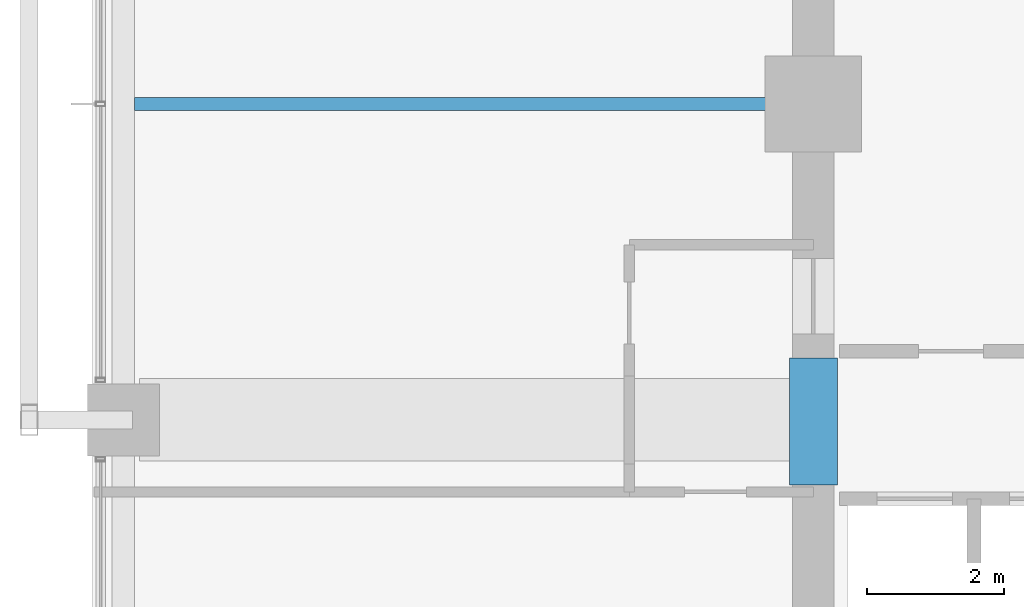
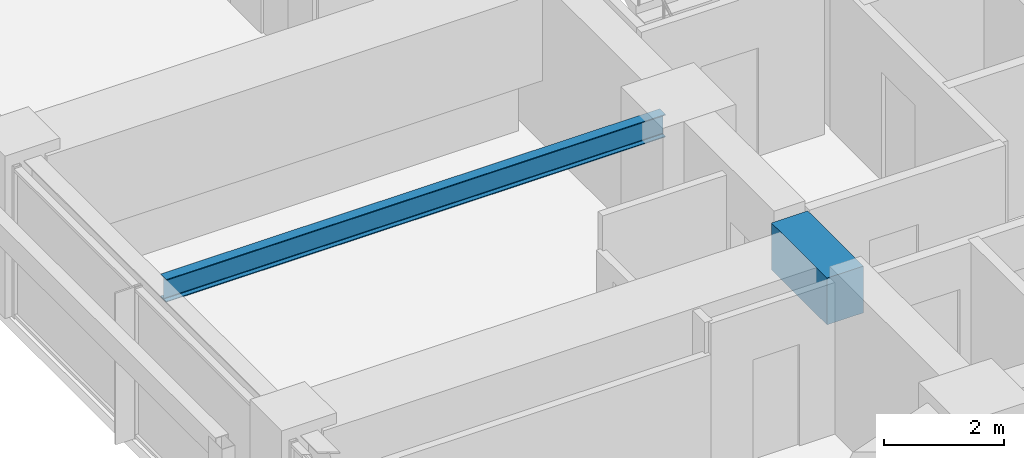
# One storey, part 10 of 39: 2 beams.
"""IFC4 building model written with IfcOpenShell, lengths in metres."""

from ifc_helpers import new_model, si_unit, direction, frame, origin, origin_2d, place, context, subcontext, project, spatial, rectangle, i_section, extrude, material, material_profile, profile_set, type_object, element, save


model = new_model("IFC4")

# Units and contexts
model_context = context("Model", 3, precision=1e-05, world=origin(), true_north=direction((0.0, 1.0)))
body_context = subcontext(model_context, "Body", "Model", "MODEL_VIEW")
ifc_project = project(units=[si_unit("LENGTHUNIT", "METRE"), si_unit("AREAUNIT", "SQUARE_METRE"), si_unit("VOLUMEUNIT", "CUBIC_METRE"), si_unit("PLANEANGLEUNIT", "RADIAN"), si_unit("MASSUNIT", "GRAM", prefix="KILO")], contexts=[model_context])

# Site, building, storey
site_placement = place(None, origin())
site = spatial("IfcSite", under=ifc_project, at=site_placement, CompositionType="ELEMENT")
building_placement = place(site_placement, origin())
building = spatial("IfcBuilding", under=site, at=building_placement, Name="Kolvaren Belvedere", CompositionType="ELEMENT")
storey_placement = place(building_placement, frame((0.0, 0.0, 85.39990234375)))
storey = spatial("IfcBuildingStorey", under=building, at=storey_placement, Name="L24", CompositionType="ELEMENT", Elevation=85.39990234375)

# Beams
ifc_material_1 = material(Name="Structural steel ASTM A992 Grade 50", Category="steel")
ifc_material_profile_1 = material_profile(ifc_material_1, i_section(OverallWidth=0.19091796875, OverallDepth=0.4599609375, WebThickness=0.010009765625, FlangeThickness=0.01611328125, FilletRadius=0.014892578125, at=origin_2d()), Name="W18X55")
ifc_profile_set_1 = profile_set([ifc_material_profile_1], Name="Structural steel ASTM A992 Grade 50")
beam_type_1 = type_object("IfcBeamType", Name="BM-JOIST-W18X55", PredefinedType="BEAM", material=ifc_profile_set_1)
beam_1_placement = place(storey_placement, frame((-10.199951171875, 0.0, 2.85009765625), z_axis=(-1.0, 0.0, 0.0), x_axis=(0.0, -1.0, 0.0)))
element("IfcBeam", 1, at=beam_1_placement, inside=storey, type_object=beam_type_1, Name="L24 West Centre Floor Beam", PredefinedType="BEAM", context=body_context, shape_type="SweptSolid", body=[
    extrude(i_section(OverallWidth=0.19091796875, OverallDepth=0.4599609375, WebThickness=0.010009765625, FlangeThickness=0.01611328125, FilletRadius=0.014892578125, at=origin_2d()), origin(), (0.0, 0.0, 1.0), 9.587646484375),
])
ifc_material_2 = material(Name="Concrete C60/75", Category="concrete")
ifc_material_profile_2 = material_profile(ifc_material_2, rectangle(XDim=0.699951171875, YDim=0.949951171875, at=origin_2d()), Name="RC 700X950")
ifc_profile_set_2 = profile_set([ifc_material_profile_2], Name="Concrete C60/75")
beam_type_2 = type_object("IfcBeamType", Name="BM-LINT-950", PredefinedType="LINTEL", material=ifc_profile_set_2)
beam_2_placement = place(storey_placement, frame((-9.89990234375, -5.550048828125, 2.60498046875), z_axis=(0.0, 1.0, 0.0), x_axis=(-1.0, 0.0, 0.0)))
element("IfcBeam", 2, at=beam_2_placement, inside=storey, type_object=beam_type_2, Name="L24 West Core Coupling Lintel", PredefinedType="LINTEL", context=body_context, shape_type="SweptSolid", body=[
    extrude(rectangle(XDim=0.699951171875, YDim=0.949951171875, at=origin_2d()), origin(), (0.0, 0.0, 1.0), 1.85009765625),
])

save(model, "model.ifc")
